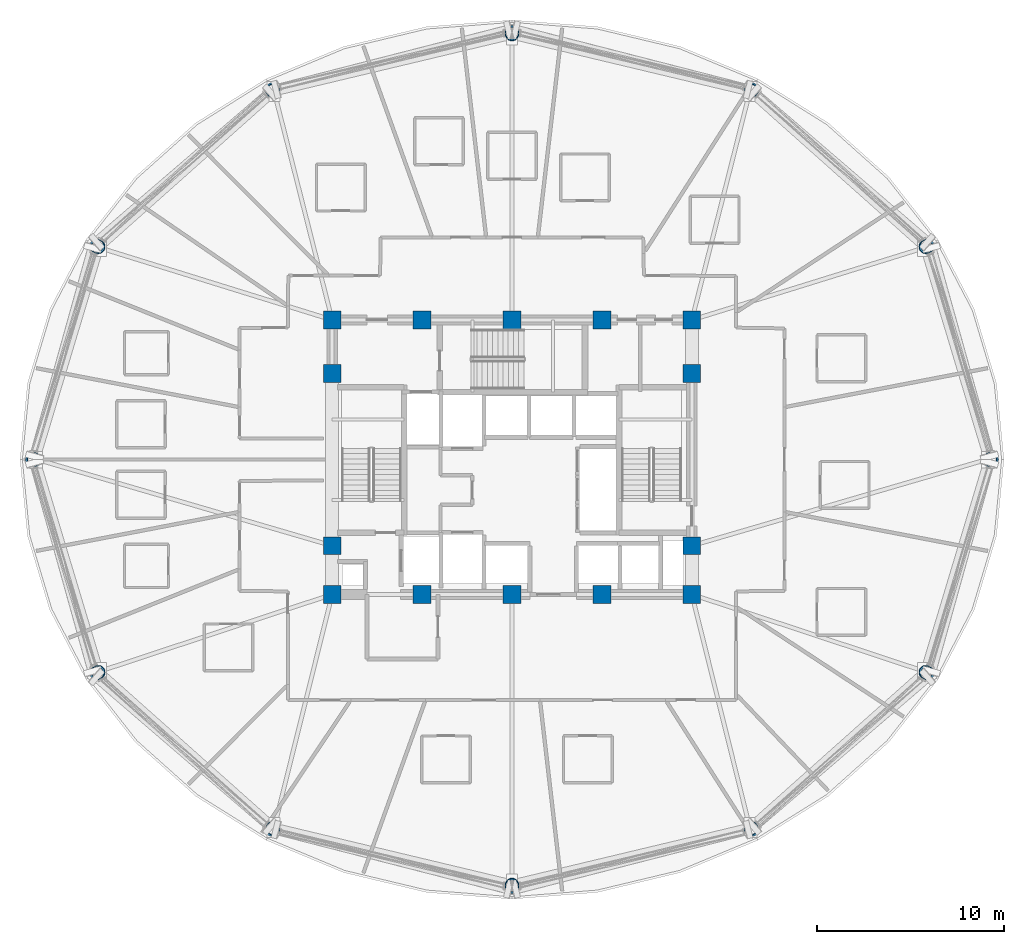
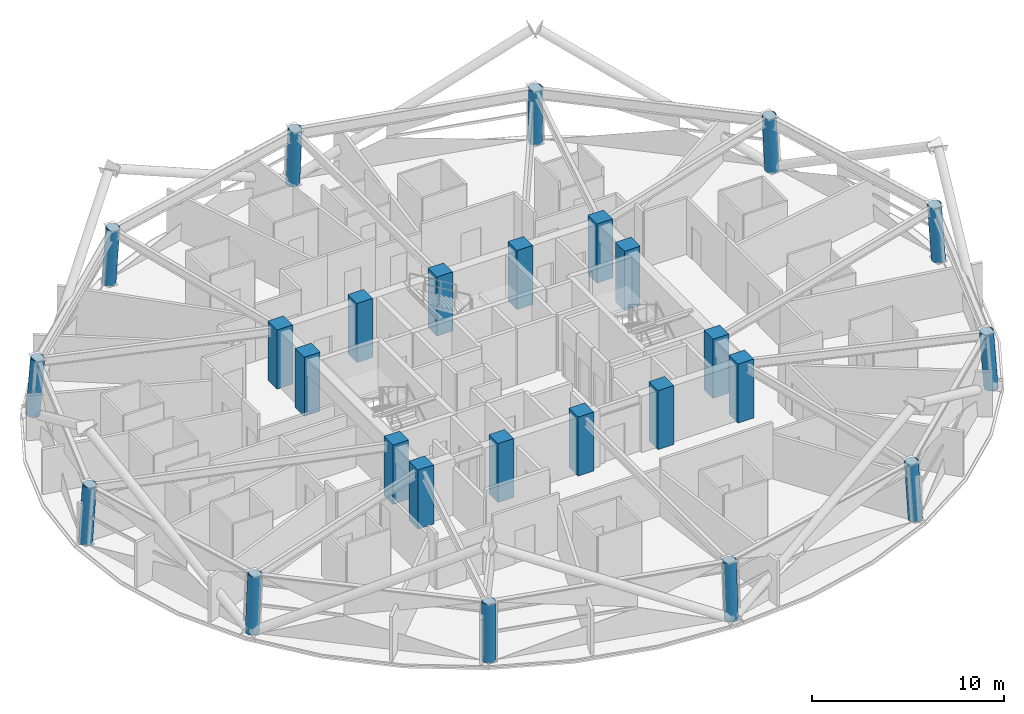
# One storey, part 1 of 14: 26 columns.
"""IFC4 building model written with IfcOpenShell, lengths in metres."""

from ifc_helpers import new_model, si_unit, direction, frame, origin, origin_2d, place, context, subcontext, project, spatial, rectangle, hollow_circle, extrude, material, material_profile, profile_set, type_object, element, save


model = new_model("IFC4")

# Units and contexts
model_context = context("Model", 3, precision=1e-05, world=origin(), true_north=direction((0.0, 1.0)))
body_context = subcontext(model_context, "Body", "Model", "MODEL_VIEW")
ifc_project = project(units=[si_unit("LENGTHUNIT", "METRE"), si_unit("AREAUNIT", "SQUARE_METRE"), si_unit("VOLUMEUNIT", "CUBIC_METRE"), si_unit("PLANEANGLEUNIT", "RADIAN"), si_unit("MASSUNIT", "GRAM", prefix="KILO")], contexts=[model_context])

# Site, building, storey
site_placement = place(None, origin())
site = spatial("IfcSite", under=ifc_project, at=site_placement, CompositionType="ELEMENT")
building_placement = place(site_placement, origin())
building = spatial("IfcBuilding", under=site, at=building_placement, Name="Vantalir Tower", CompositionType="ELEMENT")
storey_placement = place(building_placement, frame((0.0, 0.0, 112.199951171875)))
storey = spatial("IfcBuildingStorey", under=building, at=storey_placement, Name="L27", CompositionType="ELEMENT", Elevation=112.199951171875)

# Columns
ifc_material_1 = material(Name="Concrete C60/75", Category="concrete")
ifc_material_profile_1 = material_profile(ifc_material_1, rectangle(XDim=0.949951171875, YDim=0.949951171875, at=origin_2d()), Name="Concrete C60/75")
ifc_profile_set_1 = profile_set([ifc_material_profile_1], Name="Concrete C60/75")
column_type_1 = type_object("IfcColumnType", Name="COL-CC-950", PredefinedType="COLUMN", material=ifc_profile_set_1)
for number, where, z_axis, x_axis, name in (
    (1, (21.89990234375, 17.800048828125, 0.0), (0.0, 0.0, 1.0), (1.0, 0.0, 0.0), "L27 Core Column CC01"),
    (2, (26.699951171875, 17.800048828125, 0.0), (0.0, 0.0, 1.0), (1.0, 0.0, 0.0), "L27 Core Column CC02"),
    (3, (31.5, 17.800048828125, 0.0), (0.0, 0.0, 1.0), (1.0, 0.0, 0.0), "L27 Core Column CC03"),
    (4, (36.300048828125, 17.800048828125, 0.0), (0.0, 0.0, 1.0), (1.0, 0.0, 0.0), "L27 Core Column CC04"),
    (5, (41.10009765625, 17.800048828125, 0.0), (0.0, 0.0, 1.0), (1.0, 0.0, 0.0), "L27 Core Column CC05"),
    (6, (21.89990234375, 20.39990234375, 0.0), (0.0, 0.0, 1.0), (1.0, 0.0, 0.0), "L27 Core Column CC06"),
    (7, (21.89990234375, 29.60009765625, 0.0), (0.0, 0.0, 1.0), (1.0, 0.0, 0.0), "L27 Core Column CC07"),
    (8, (41.10009765625, 20.39990234375, 0.0), (0.0, 0.0, 1.0), (1.0, 0.0, 0.0), "L27 Core Column CC08"),
    (9, (41.10009765625, 29.60009765625, 0.0), (0.0, 0.0, 1.0), (1.0, 0.0, 0.0), "L27 Core Column CC09"),
    (10, (21.89990234375, 32.449951171875, 0.0), (0.0, 0.0, 1.0), (1.0, 0.0, 0.0), "L27 Core Column CC10"),
    (11, (26.699951171875, 32.449951171875, 0.0), (0.0, 0.0, 1.0), (1.0, 0.0, 0.0), "L27 Core Column CC11"),
    (12, (31.5, 32.449951171875, 0.0), (0.0, 0.0, 1.0), (1.0, 0.0, 0.0), "L27 Core Column CC12"),
    (13, (36.300048828125, 32.449951171875, 0.0), (0.0, 0.0, 1.0), (1.0, 0.0, 0.0), "L27 Core Column CC13"),
    (14, (41.10009765625, 32.449951171875, 0.0), (0.0, 0.0, 1.0), (1.0, 0.0, 0.0), "L27 Core Column CC14"),
):
    element("IfcColumn", number, at=place(storey_placement, frame(where, z_axis=z_axis, x_axis=x_axis)), inside=storey, type_object=column_type_1, Name=name, PredefinedType="COLUMN", context=body_context, shape_type="SweptSolid", body=[
        extrude(rectangle(XDim=0.949951171875, YDim=0.949951171875, at=origin_2d()), origin(), (0.0, 0.0, 1.0), 3.75),
    ])
ifc_material_2 = material(Name="Steel S460", Category="steel")
ifc_material_profile_2 = material_profile(ifc_material_2, hollow_circle(Radius=0.375, WallThickness=0.034912109375, at=origin_2d()), Name="Steel S460")
ifc_profile_set_2 = profile_set([ifc_material_profile_2], Name="Steel S460")
column_type_2 = type_object("IfcColumnType", Name="COL-RC-750", PredefinedType="COLUMN", material=ifc_profile_set_2)
column_1_placement = place(storey_placement, frame((57.087890625, 25.0, 0.0), z_axis=(-0.069244594683, 0.0, 0.997599712363), x_axis=(0.0, -1.0, 0.0)))
element("IfcColumn", 15, at=column_1_placement, inside=storey, type_object=column_type_2, Name="L27 Perimeter Ring Column RC01", PredefinedType="COLUMN", context=body_context, shape_type="SweptSolid", body=[
    extrude(hollow_circle(Radius=0.375, WallThickness=0.034912109375, at=origin_2d()), origin(), (0.0, 0.0, 1.0), 3.57861328125),
])
column_2_placement = place(storey_placement, frame((53.659912109375, 36.39404296875, 0.0), z_axis=(-0.060041541253, -0.031044205989, 0.997713020161), x_axis=(0.459285609685, -0.888288651698, 0.0)))
element("IfcColumn", 16, at=column_2_placement, inside=storey, type_object=column_type_2, Name="L27 Perimeter Ring Column RC02", PredefinedType="COLUMN", context=body_context, shape_type="SweptSolid", body=[
    extrude(hollow_circle(Radius=0.375, WallThickness=0.034912109375, at=origin_2d()), origin(), (0.0, 0.0, 1.0), 3.578369140625),
])
column_3_placement = place(storey_placement, frame((44.2939453125, 44.735107421875, 0.0), z_axis=(-0.034668736914, -0.053709243998, 0.997954606077), x_axis=(0.840171122485, -0.542321385289, 0.0)))
element("IfcColumn", 17, at=column_3_placement, inside=storey, type_object=column_type_2, Name="L27 Perimeter Ring Column RC03", PredefinedType="COLUMN", context=body_context, shape_type="SweptSolid", body=[
    extrude(hollow_circle(Radius=0.375, WallThickness=0.034912109375, at=origin_2d()), origin(), (0.0, 0.0, 1.0), 3.577392578125),
])
column_4_placement = place(storey_placement, frame((31.5, 47.7880859375, 0.0), z_axis=(0.0, -0.062110581912, 0.998069273956), x_axis=(1.0, 0.0, 0.0)))
element("IfcColumn", 18, at=column_4_placement, inside=storey, type_object=column_type_2, Name="L27 Perimeter Ring Column RC04", PredefinedType="COLUMN", context=body_context, shape_type="SweptSolid", body=[
    extrude(hollow_circle(Radius=0.375, WallThickness=0.034912109375, at=origin_2d()), origin(), (0.0, 0.0, 1.0), 3.576904296875),
])
column_5_placement = place(storey_placement, frame((18.7060546875, 44.735107421875, 0.0), z_axis=(0.034668736914, -0.053709243998, 0.997954606077), x_axis=(0.840171122485, 0.542321385289, 0.0)))
element("IfcColumn", 19, at=column_5_placement, inside=storey, type_object=column_type_2, Name="L27 Perimeter Ring Column RC05", PredefinedType="COLUMN", context=body_context, shape_type="SweptSolid", body=[
    extrude(hollow_circle(Radius=0.375, WallThickness=0.034912109375, at=origin_2d()), origin(), (0.0, 0.0, 1.0), 3.577392578125),
])
column_6_placement = place(storey_placement, frame((9.340087890625, 36.39404296875, 0.0), z_axis=(0.060041541253, -0.031044205989, 0.997713020161), x_axis=(0.459285609685, 0.888288651698, 0.0)))
element("IfcColumn", 20, at=column_6_placement, inside=storey, type_object=column_type_2, Name="L27 Perimeter Ring Column RC06", PredefinedType="COLUMN", context=body_context, shape_type="SweptSolid", body=[
    extrude(hollow_circle(Radius=0.375, WallThickness=0.034912109375, at=origin_2d()), origin(), (0.0, 0.0, 1.0), 3.578369140625),
])
column_7_placement = place(storey_placement, frame((5.912109375, 25.0, 0.0), z_axis=(0.069244594683, 0.0, 0.997599712363), x_axis=(0.0, 1.0, 0.0)))
element("IfcColumn", 21, at=column_7_placement, inside=storey, type_object=column_type_2, Name="L27 Perimeter Ring Column RC07", PredefinedType="COLUMN", context=body_context, shape_type="SweptSolid", body=[
    extrude(hollow_circle(Radius=0.375, WallThickness=0.034912109375, at=origin_2d()), origin(), (0.0, 0.0, 1.0), 3.57861328125),
])
column_8_placement = place(storey_placement, frame((9.340087890625, 13.60595703125, 0.0), z_axis=(0.060041541253, 0.031044205989, 0.997713020161), x_axis=(-0.459285609685, 0.888288651698, 0.0)))
element("IfcColumn", 22, at=column_8_placement, inside=storey, type_object=column_type_2, Name="L27 Perimeter Ring Column RC08", PredefinedType="COLUMN", context=body_context, shape_type="SweptSolid", body=[
    extrude(hollow_circle(Radius=0.375, WallThickness=0.034912109375, at=origin_2d()), origin(), (0.0, 0.0, 1.0), 3.578369140625),
])
column_9_placement = place(storey_placement, frame((18.7060546875, 5.264892578125, 0.0), z_axis=(0.034668736914, 0.053709243998, 0.997954606077), x_axis=(-0.840171122485, 0.542321385289, 0.0)))
element("IfcColumn", 23, at=column_9_placement, inside=storey, type_object=column_type_2, Name="L27 Perimeter Ring Column RC09", PredefinedType="COLUMN", context=body_context, shape_type="SweptSolid", body=[
    extrude(hollow_circle(Radius=0.375, WallThickness=0.034912109375, at=origin_2d()), origin(), (0.0, 0.0, 1.0), 3.577392578125),
])
column_10_placement = place(storey_placement, frame((31.5, 2.2119140625, 0.0), z_axis=(0.0, 0.062110581912, 0.998069273956), x_axis=(-1.0, 0.0, 0.0)))
element("IfcColumn", 24, at=column_10_placement, inside=storey, type_object=column_type_2, Name="L27 Perimeter Ring Column RC10", PredefinedType="COLUMN", context=body_context, shape_type="SweptSolid", body=[
    extrude(hollow_circle(Radius=0.375, WallThickness=0.034912109375, at=origin_2d()), origin(), (0.0, 0.0, 1.0), 3.576904296875),
])
column_11_placement = place(storey_placement, frame((44.2939453125, 5.264892578125, 0.0), z_axis=(-0.034668736914, 0.053709243998, 0.997954606077), x_axis=(-0.840171122485, -0.542321385289, 0.0)))
element("IfcColumn", 25, at=column_11_placement, inside=storey, type_object=column_type_2, Name="L27 Perimeter Ring Column RC11", PredefinedType="COLUMN", context=body_context, shape_type="SweptSolid", body=[
    extrude(hollow_circle(Radius=0.375, WallThickness=0.034912109375, at=origin_2d()), origin(), (0.0, 0.0, 1.0), 3.577392578125),
])
column_12_placement = place(storey_placement, frame((53.659912109375, 13.60595703125, 0.0), z_axis=(-0.060041541253, 0.031044205989, 0.997713020161), x_axis=(-0.459285609685, -0.888288651698, 0.0)))
element("IfcColumn", 26, at=column_12_placement, inside=storey, type_object=column_type_2, Name="L27 Perimeter Ring Column RC12", PredefinedType="COLUMN", context=body_context, shape_type="SweptSolid", body=[
    extrude(hollow_circle(Radius=0.375, WallThickness=0.034912109375, at=origin_2d()), origin(), (0.0, 0.0, 1.0), 3.578369140625),
])

save(model, "model.ifc")
